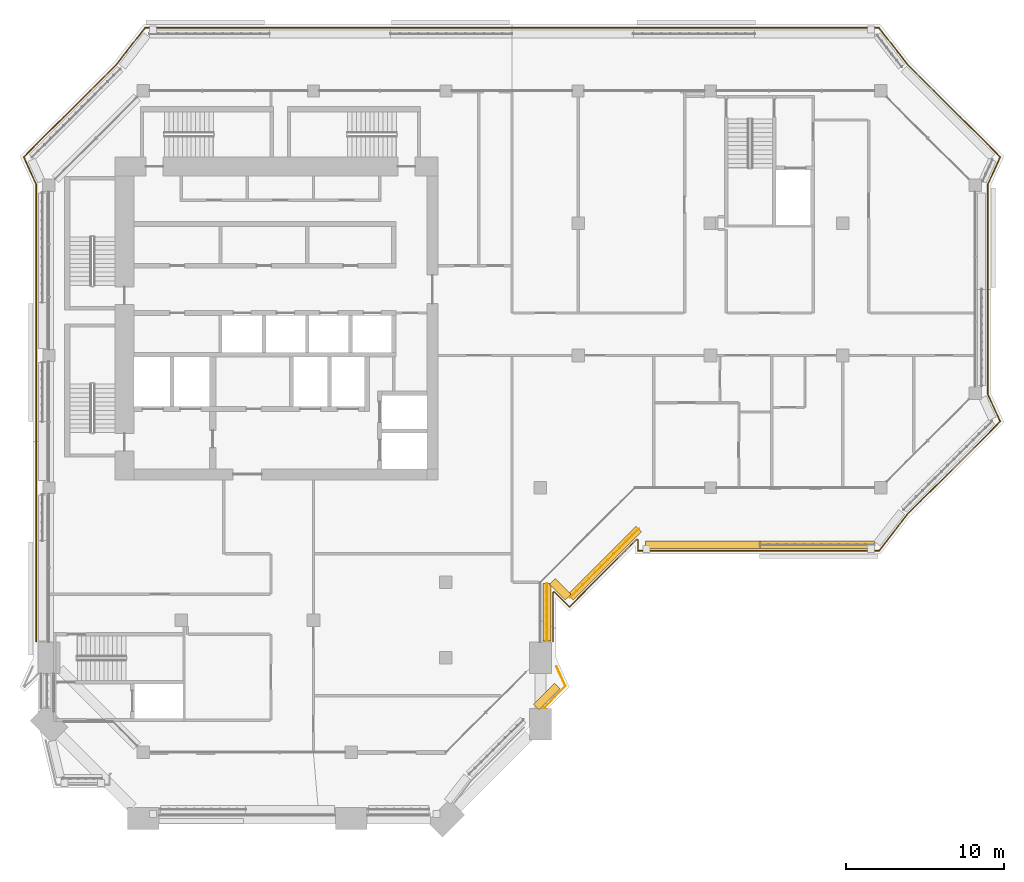
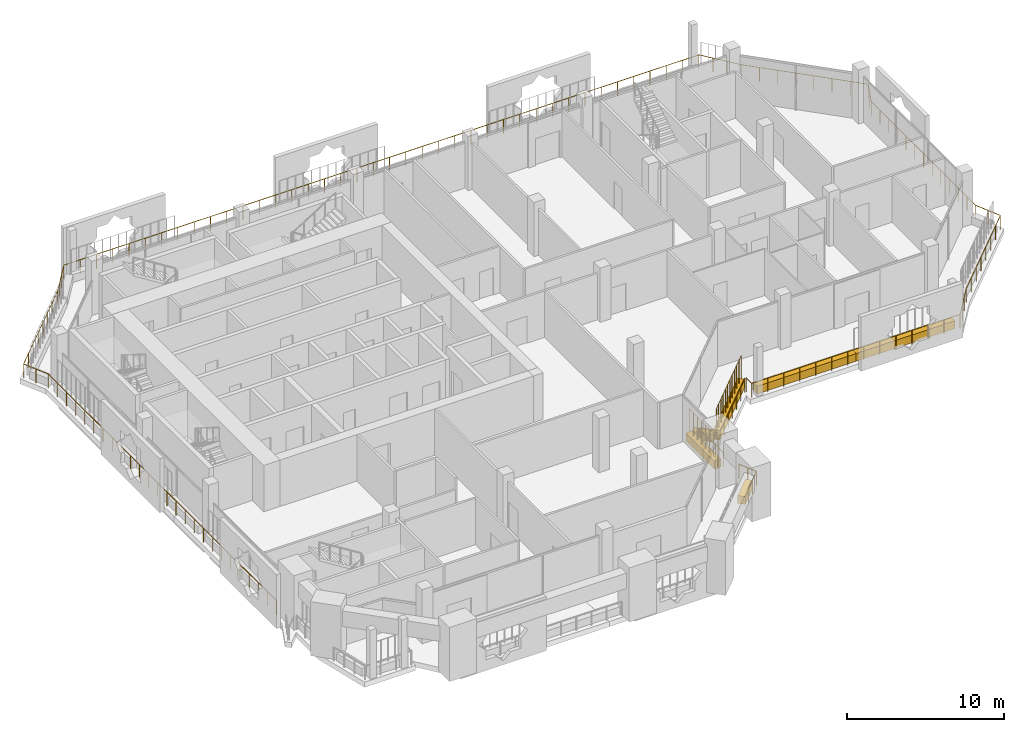
# One storey, part 18 of 22: 6 coverings, 4 railings.
"""IFC4 building model written with IfcOpenShell, lengths in metres."""

from ifc_helpers import new_model, si_unit, direction, frame, origin, origin_2d, place, context, subcontext, project, spatial, rectangle, circle, extrude, material, material_profile, profile_set, type_object, element, save


model = new_model("IFC4")

# Units and contexts
model_context = context("Model", 3, precision=1e-05, world=origin(), true_north=direction((0.0, 1.0)))
body_context = subcontext(model_context, "Body", "Model", "MODEL_VIEW")
ifc_project = project(units=[si_unit("LENGTHUNIT", "METRE"), si_unit("AREAUNIT", "SQUARE_METRE"), si_unit("VOLUMEUNIT", "CUBIC_METRE"), si_unit("PLANEANGLEUNIT", "RADIAN"), si_unit("MASSUNIT", "GRAM", prefix="KILO")], contexts=[model_context])

# Site, building, storey
site_placement = place(None, origin())
site = spatial("IfcSite", under=ifc_project, at=site_placement, CompositionType="ELEMENT")
building_placement = place(site_placement, origin())
building = spatial("IfcBuilding", under=site, at=building_placement, Name="Kawkab Arch Medical Tower", CompositionType="ELEMENT")
storey_placement = place(building_placement, frame((0.0, 0.0, 294.39990234375)))
storey = spatial("IfcBuildingStorey", under=building, at=storey_placement, Name="L68", CompositionType="ELEMENT", Elevation=294.39990234375)

# Railings
ifc_material_1 = material(Name="Bronze anodised aluminium guard", Category="aluminium")
railing_type_1 = type_object("IfcRailingType", Name="Loggia and terrace guard 1100", PredefinedType="GUARDRAIL", material=ifc_material_1)
railing_1_placement = place(storey_placement, frame((-0.800048828125, -34.969970703125, 0.0)))
element("IfcRailing", 1, at=railing_1_placement, inside=storey, type_object=railing_type_1, Name="Guard L68.LOG-01.1.4", PredefinedType="GUARDRAIL", context=body_context, shape_type="SweptSolid", body=[
    extrude(circle(Radius=0.02392578125, at=origin_2d()), frame((0.0, 0.0, 1.076171875), z_axis=(0.0, 1.0, 0.0), x_axis=(-1.0, 0.0, 0.0)), (0.0, 0.0, 1.0), 29.012939453125),
    extrude(circle(Radius=0.02392578125, at=origin_2d()), frame((0.0, 29.012939453125, 1.076171875), z_axis=(-0.414452581809, 0.910070907914, 0.0), x_axis=(-0.910070907914, -0.414452581809, 0.0)), (0.0, 0.0, 1.0), 1.925048828125),
    extrude(circle(Radius=0.02392578125, at=origin_2d()), frame((-0.7978515625, 30.764892578125, 1.076171875), z_axis=(0.707092175918, 0.707121386154, 0.0), x_axis=(-0.707121386154, 0.707092175918, 0.0)), (0.0, 0.0, 1.0), 8.358154296875),
    extrude(circle(Radius=0.02392578125, at=origin_2d()), frame((5.112060546875, 36.675048828125, 1.076171875), z_axis=(0.614144026922, 0.789193964876, 0.0), x_axis=(-0.789193964876, 0.614144026922, 0.0)), (0.0, 0.0, 1.0), 2.907958984375),
    extrude(circle(Radius=0.02392578125, at=origin_2d()), frame((6.89794921875, 38.969970703125, 1.076171875), z_axis=(1.0, 0.0, 0.0), x_axis=(0.0, 1.0, 0.0)), (0.0, 0.0, 1.0), 46.60400390625),
    extrude(circle(Radius=0.02392578125, at=origin_2d()), frame((53.501953125, 38.969970703125, 1.076171875), z_axis=(0.614196313452, -0.789153273162, 0.0), x_axis=(0.789153273162, 0.614196313452, 0.0)), (0.0, 0.0, 1.0), 2.908203125),
    extrude(circle(Radius=0.02392578125, at=origin_2d()), frame((55.2880859375, 36.675048828125, 1.076171875), z_axis=(0.707092175918, -0.707121386154, 0.0), x_axis=(0.707121386154, 0.707092175918, 0.0)), (0.0, 0.0, 1.0), 8.358154296875),
    extrude(circle(Radius=0.02392578125, at=origin_2d()), frame((61.197998046875, 30.764892578125, 1.076171875), z_axis=(-0.414452581809, -0.910070907914, 0.0), x_axis=(0.910070907914, -0.414452581809, 0.0)), (0.0, 0.0, 1.0), 1.925048828125),
    extrude(circle(Radius=0.02392578125, at=origin_2d()), frame((60.400146484375, 29.012939453125, 1.076171875), z_axis=(0.0, -1.0, 0.0), x_axis=(1.0, 0.0, 0.0)), (0.0, 0.0, 1.0), 13.285888671875),
    extrude(circle(Radius=0.02392578125, at=origin_2d()), frame((60.400146484375, 15.72705078125, 1.076171875), z_axis=(0.414404752076, -0.910092688388, 0.0), x_axis=(0.910092688388, 0.414404752076, 0.0)), (0.0, 0.0, 1.0), 1.92529296875),
    extrude(circle(Radius=0.02392578125, at=origin_2d()), frame((61.197998046875, 13.974853515625, 1.076171875), z_axis=(-0.707106781187, -0.707106781187, 0.0), x_axis=(0.707106781187, -0.707106781187, 0.0)), (0.0, 0.0, 1.0), 8.35791015625),
    extrude(circle(Radius=0.02392578125, at=origin_2d()), frame((55.2880859375, 8.06494140625, 1.076171875), z_axis=(-0.614196313452, -0.789153273162, 0.0), x_axis=(0.789153273162, -0.614196313452, 0.0)), (0.0, 0.0, 1.0), 2.908203125),
    extrude(circle(Radius=0.02392578125, at=origin_2d()), frame((53.501953125, 5.77001953125, 1.076171875), z_axis=(-1.0, 0.0, 0.0), x_axis=(0.0, -1.0, 0.0)), (0.0, 0.0, 1.0), 15.302001953125),
    extrude(circle(Radius=0.02392578125, at=origin_2d()), frame((38.199951171875, 5.77001953125, 1.076171875), z_axis=(0.0, 1.0, 0.0), x_axis=(-1.0, 0.0, 0.0)), (0.0, 0.0, 1.0), 0.6728515625),
    extrude(circle(Radius=0.02392578125, at=origin_2d()), frame((38.199951171875, 6.44287109375, 1.076171875), z_axis=(-0.923431341387, 0.383763674343, 0.0), x_axis=(-0.383763674343, -0.923431341387, 0.0)), (0.0, 0.0, 1.0), 0.101806640625),
    extrude(circle(Radius=0.02392578125, at=origin_2d()), frame((38.10595703125, 6.48193359375, 1.076171875), z_axis=(-0.707187685852, -0.707025867263, 0.0), x_axis=(0.707025867263, -0.707187685852, 0.0)), (0.0, 0.0, 1.0), 6.034912109375),
    extrude(circle(Radius=0.02392578125, at=origin_2d()), frame((33.838134765625, 2.215087890625, 1.076171875), z_axis=(-0.707198215437, 0.707015335112, 0.0), x_axis=(-0.707015335112, -0.707198215437, 0.0)), (0.0, 0.0, 1.0), 1.3349609375),
    extrude(circle(Radius=0.02392578125, at=origin_2d()), frame((32.89404296875, 3.158935546875, 1.076171875), z_axis=(-0.923431341387, -0.383763674343, 0.0), x_axis=(0.383763674343, -0.923431341387, 0.0)), (0.0, 0.0, 1.0), 0.101806640625),
    extrude(circle(Radius=0.02392578125, at=origin_2d()), frame((32.800048828125, 3.119873046875, 1.076171875), z_axis=(0.0, -1.0, 0.0), x_axis=(1.0, 0.0, 0.0)), (0.0, 0.0, 1.0), 3.119873046875),
    extrude(circle(Radius=0.02099609375, at=origin_2d()), origin(), (0.0, 0.0, 1.0), 1.052001953125),
    extrude(circle(Radius=0.02099609375, at=origin_2d()), frame((0.0, 1.160400390625, 0.0)), (0.0, 0.0, 1.0), 1.052001953125),
    extrude(circle(Radius=0.02099609375, at=origin_2d()), frame((0.0, 2.321044921875, 0.0)), (0.0, 0.0, 1.0), 1.052001953125),
    extrude(circle(Radius=0.02099609375, at=origin_2d()), frame((0.0, 3.4814453125, 0.0)), (0.0, 0.0, 1.0), 1.052001953125),
    extrude(circle(Radius=0.02099609375, at=origin_2d()), frame((0.0, 4.64208984375, 0.0)), (0.0, 0.0, 1.0), 1.052001953125),
    extrude(circle(Radius=0.02099609375, at=origin_2d()), frame((0.0, 5.802490234375, 0.0)), (0.0, 0.0, 1.0), 1.052001953125),
    extrude(circle(Radius=0.02099609375, at=origin_2d()), frame((0.0, 6.963134765625, 0.0)), (0.0, 0.0, 1.0), 1.052001953125),
    extrude(circle(Radius=0.02099609375, at=origin_2d()), frame((0.0, 8.12353515625, 0.0)), (0.0, 0.0, 1.0), 1.052001953125),
    extrude(circle(Radius=0.02099609375, at=origin_2d()), frame((0.0, 9.2841796875, 0.0)), (0.0, 0.0, 1.0), 1.052001953125),
    extrude(circle(Radius=0.02099609375, at=origin_2d()), frame((0.0, 10.444580078125, 0.0)), (0.0, 0.0, 1.0), 1.052001953125),
    extrude(circle(Radius=0.02099609375, at=origin_2d()), frame((0.0, 11.605224609375, 0.0)), (0.0, 0.0, 1.0), 1.052001953125),
    extrude(circle(Radius=0.02099609375, at=origin_2d()), frame((0.0, 12.765625, 0.0)), (0.0, 0.0, 1.0), 1.052001953125),
    extrude(circle(Radius=0.02099609375, at=origin_2d()), frame((0.0, 13.92626953125, 0.0)), (0.0, 0.0, 1.0), 1.052001953125),
    extrude(circle(Radius=0.02099609375, at=origin_2d()), frame((0.0, 15.086669921875, 0.0)), (0.0, 0.0, 1.0), 1.052001953125),
    extrude(circle(Radius=0.02099609375, at=origin_2d()), frame((0.0, 16.247314453125, 0.0)), (0.0, 0.0, 1.0), 1.052001953125),
    extrude(circle(Radius=0.02099609375, at=origin_2d()), frame((0.0, 17.40771484375, 0.0)), (0.0, 0.0, 1.0), 1.052001953125),
    extrude(circle(Radius=0.02099609375, at=origin_2d()), frame((0.0, 18.568359375, 0.0)), (0.0, 0.0, 1.0), 1.052001953125),
    extrude(circle(Radius=0.02099609375, at=origin_2d()), frame((0.0, 19.728759765625, 0.0)), (0.0, 0.0, 1.0), 1.052001953125),
    extrude(circle(Radius=0.02099609375, at=origin_2d()), frame((0.0, 20.889404296875, 0.0)), (0.0, 0.0, 1.0), 1.052001953125),
    extrude(circle(Radius=0.02099609375, at=origin_2d()), frame((0.0, 22.0498046875, 0.0)), (0.0, 0.0, 1.0), 1.052001953125),
    extrude(circle(Radius=0.02099609375, at=origin_2d()), frame((0.0, 23.21044921875, 0.0)), (0.0, 0.0, 1.0), 1.052001953125),
    extrude(circle(Radius=0.02099609375, at=origin_2d()), frame((0.0, 24.370849609375, 0.0)), (0.0, 0.0, 1.0), 1.052001953125),
    extrude(circle(Radius=0.02099609375, at=origin_2d()), frame((0.0, 25.531494140625, 0.0)), (0.0, 0.0, 1.0), 1.052001953125),
    extrude(circle(Radius=0.02099609375, at=origin_2d()), frame((0.0, 26.69189453125, 0.0)), (0.0, 0.0, 1.0), 1.052001953125),
    extrude(circle(Radius=0.02099609375, at=origin_2d()), frame((0.0, 27.8525390625, 0.0)), (0.0, 0.0, 1.0), 1.052001953125),
    extrude(circle(Radius=0.02099609375, at=origin_2d()), frame((0.0, 29.012939453125, 0.0)), (0.0, 0.0, 1.0), 1.052001953125),
    extrude(circle(Radius=0.02099609375, at=origin_2d()), frame((-0.39892578125, 29.888916015625, 0.0)), (0.0, 0.0, 1.0), 1.052001953125),
    extrude(circle(Radius=0.02099609375, at=origin_2d()), frame((-0.7978515625, 30.764892578125, 0.0)), (0.0, 0.0, 1.0), 1.052001953125),
    extrude(circle(Radius=0.02099609375, at=origin_2d()), frame((0.04638671875, 31.609130859375, 0.0)), (0.0, 0.0, 1.0), 1.052001953125),
    extrude(circle(Radius=0.02099609375, at=origin_2d()), frame((0.890625, 32.45361328125, 0.0)), (0.0, 0.0, 1.0), 1.052001953125),
    extrude(circle(Radius=0.02099609375, at=origin_2d()), frame((1.73486328125, 33.2978515625, 0.0)), (0.0, 0.0, 1.0), 1.052001953125),
    extrude(circle(Radius=0.02099609375, at=origin_2d()), frame((2.579345703125, 34.14208984375, 0.0)), (0.0, 0.0, 1.0), 1.052001953125),
    extrude(circle(Radius=0.02099609375, at=origin_2d()), frame((3.423583984375, 34.986328125, 0.0)), (0.0, 0.0, 1.0), 1.052001953125),
    extrude(circle(Radius=0.02099609375, at=origin_2d()), frame((4.267822265625, 35.830810546875, 0.0)), (0.0, 0.0, 1.0), 1.052001953125),
    extrude(circle(Radius=0.02099609375, at=origin_2d()), frame((5.112060546875, 36.675048828125, 0.0)), (0.0, 0.0, 1.0), 1.052001953125),
    extrude(circle(Radius=0.02099609375, at=origin_2d()), frame((5.707275390625, 37.43994140625, 0.0)), (0.0, 0.0, 1.0), 1.052001953125),
    extrude(circle(Radius=0.02099609375, at=origin_2d()), frame((6.302734375, 38.205078125, 0.0)), (0.0, 0.0, 1.0), 1.052001953125),
    extrude(circle(Radius=0.02099609375, at=origin_2d()), frame((6.89794921875, 38.969970703125, 0.0)), (0.0, 0.0, 1.0), 1.052001953125),
    extrude(circle(Radius=0.02099609375, at=origin_2d()), frame((8.093017578125, 38.969970703125, 0.0)), (0.0, 0.0, 1.0), 1.052001953125),
    extrude(circle(Radius=0.02099609375, at=origin_2d()), frame((9.287841796875, 38.969970703125, 0.0)), (0.0, 0.0, 1.0), 1.052001953125),
    extrude(circle(Radius=0.02099609375, at=origin_2d()), frame((10.48291015625, 38.969970703125, 0.0)), (0.0, 0.0, 1.0), 1.052001953125),
    extrude(circle(Radius=0.02099609375, at=origin_2d()), frame((11.677734375, 38.969970703125, 0.0)), (0.0, 0.0, 1.0), 1.052001953125),
    extrude(circle(Radius=0.02099609375, at=origin_2d()), frame((12.872802734375, 38.969970703125, 0.0)), (0.0, 0.0, 1.0), 1.052001953125),
    extrude(circle(Radius=0.02099609375, at=origin_2d()), frame((14.06787109375, 38.969970703125, 0.0)), (0.0, 0.0, 1.0), 1.052001953125),
    extrude(circle(Radius=0.02099609375, at=origin_2d()), frame((15.2626953125, 38.969970703125, 0.0)), (0.0, 0.0, 1.0), 1.052001953125),
    extrude(circle(Radius=0.02099609375, at=origin_2d()), frame((16.457763671875, 38.969970703125, 0.0)), (0.0, 0.0, 1.0), 1.052001953125),
    extrude(circle(Radius=0.02099609375, at=origin_2d()), frame((17.65283203125, 38.969970703125, 0.0)), (0.0, 0.0, 1.0), 1.052001953125),
    extrude(circle(Radius=0.02099609375, at=origin_2d()), frame((18.84765625, 38.969970703125, 0.0)), (0.0, 0.0, 1.0), 1.052001953125),
    extrude(circle(Radius=0.02099609375, at=origin_2d()), frame((20.042724609375, 38.969970703125, 0.0)), (0.0, 0.0, 1.0), 1.052001953125),
    extrude(circle(Radius=0.02099609375, at=origin_2d()), frame((21.237548828125, 38.969970703125, 0.0)), (0.0, 0.0, 1.0), 1.052001953125),
    extrude(circle(Radius=0.02099609375, at=origin_2d()), frame((22.4326171875, 38.969970703125, 0.0)), (0.0, 0.0, 1.0), 1.052001953125),
    extrude(circle(Radius=0.02099609375, at=origin_2d()), frame((23.627685546875, 38.969970703125, 0.0)), (0.0, 0.0, 1.0), 1.052001953125),
    extrude(circle(Radius=0.02099609375, at=origin_2d()), frame((24.822509765625, 38.969970703125, 0.0)), (0.0, 0.0, 1.0), 1.052001953125),
    extrude(circle(Radius=0.02099609375, at=origin_2d()), frame((26.017578125, 38.969970703125, 0.0)), (0.0, 0.0, 1.0), 1.052001953125),
    extrude(circle(Radius=0.02099609375, at=origin_2d()), frame((27.21240234375, 38.969970703125, 0.0)), (0.0, 0.0, 1.0), 1.052001953125),
    extrude(circle(Radius=0.02099609375, at=origin_2d()), frame((28.407470703125, 38.969970703125, 0.0)), (0.0, 0.0, 1.0), 1.052001953125),
    extrude(circle(Radius=0.02099609375, at=origin_2d()), frame((29.6025390625, 38.969970703125, 0.0)), (0.0, 0.0, 1.0), 1.052001953125),
    extrude(circle(Radius=0.02099609375, at=origin_2d()), frame((30.79736328125, 38.969970703125, 0.0)), (0.0, 0.0, 1.0), 1.052001953125),
    extrude(circle(Radius=0.02099609375, at=origin_2d()), frame((31.992431640625, 38.969970703125, 0.0)), (0.0, 0.0, 1.0), 1.052001953125),
    extrude(circle(Radius=0.02099609375, at=origin_2d()), frame((33.1875, 38.969970703125, 0.0)), (0.0, 0.0, 1.0), 1.052001953125),
    extrude(circle(Radius=0.02099609375, at=origin_2d()), frame((34.38232421875, 38.969970703125, 0.0)), (0.0, 0.0, 1.0), 1.052001953125),
    extrude(circle(Radius=0.02099609375, at=origin_2d()), frame((35.577392578125, 38.969970703125, 0.0)), (0.0, 0.0, 1.0), 1.052001953125),
    extrude(circle(Radius=0.02099609375, at=origin_2d()), frame((36.772216796875, 38.969970703125, 0.0)), (0.0, 0.0, 1.0), 1.052001953125),
    extrude(circle(Radius=0.02099609375, at=origin_2d()), frame((37.96728515625, 38.969970703125, 0.0)), (0.0, 0.0, 1.0), 1.052001953125),
    extrude(circle(Radius=0.02099609375, at=origin_2d()), frame((39.162353515625, 38.969970703125, 0.0)), (0.0, 0.0, 1.0), 1.052001953125),
    extrude(circle(Radius=0.02099609375, at=origin_2d()), frame((40.357177734375, 38.969970703125, 0.0)), (0.0, 0.0, 1.0), 1.052001953125),
    extrude(circle(Radius=0.02099609375, at=origin_2d()), frame((41.55224609375, 38.969970703125, 0.0)), (0.0, 0.0, 1.0), 1.052001953125),
    extrude(circle(Radius=0.02099609375, at=origin_2d()), frame((42.7470703125, 38.969970703125, 0.0)), (0.0, 0.0, 1.0), 1.052001953125),
    extrude(circle(Radius=0.02099609375, at=origin_2d()), frame((43.942138671875, 38.969970703125, 0.0)), (0.0, 0.0, 1.0), 1.052001953125),
    extrude(circle(Radius=0.02099609375, at=origin_2d()), frame((45.13720703125, 38.969970703125, 0.0)), (0.0, 0.0, 1.0), 1.052001953125),
    extrude(circle(Radius=0.02099609375, at=origin_2d()), frame((46.33203125, 38.969970703125, 0.0)), (0.0, 0.0, 1.0), 1.052001953125),
    extrude(circle(Radius=0.02099609375, at=origin_2d()), frame((47.527099609375, 38.969970703125, 0.0)), (0.0, 0.0, 1.0), 1.052001953125),
    extrude(circle(Radius=0.02099609375, at=origin_2d()), frame((48.72216796875, 38.969970703125, 0.0)), (0.0, 0.0, 1.0), 1.052001953125),
    extrude(circle(Radius=0.02099609375, at=origin_2d()), frame((49.9169921875, 38.969970703125, 0.0)), (0.0, 0.0, 1.0), 1.052001953125),
    extrude(circle(Radius=0.02099609375, at=origin_2d()), frame((51.112060546875, 38.969970703125, 0.0)), (0.0, 0.0, 1.0), 1.052001953125),
    extrude(circle(Radius=0.02099609375, at=origin_2d()), frame((52.306884765625, 38.969970703125, 0.0)), (0.0, 0.0, 1.0), 1.052001953125),
    extrude(circle(Radius=0.02099609375, at=origin_2d()), frame((53.501953125, 38.969970703125, 0.0)), (0.0, 0.0, 1.0), 1.052001953125),
    extrude(circle(Radius=0.02099609375, at=origin_2d()), frame((54.097412109375, 38.205078125, 0.0)), (0.0, 0.0, 1.0), 1.052001953125),
    extrude(circle(Radius=0.02099609375, at=origin_2d()), frame((54.692626953125, 37.43994140625, 0.0)), (0.0, 0.0, 1.0), 1.052001953125),
    extrude(circle(Radius=0.02099609375, at=origin_2d()), frame((55.2880859375, 36.675048828125, 0.0)), (0.0, 0.0, 1.0), 1.052001953125),
    extrude(circle(Radius=0.02099609375, at=origin_2d()), frame((56.13232421875, 35.830810546875, 0.0)), (0.0, 0.0, 1.0), 1.052001953125),
    extrude(circle(Radius=0.02099609375, at=origin_2d()), frame((56.9765625, 34.986328125, 0.0)), (0.0, 0.0, 1.0), 1.052001953125),
    extrude(circle(Radius=0.02099609375, at=origin_2d()), frame((57.82080078125, 34.14208984375, 0.0)), (0.0, 0.0, 1.0), 1.052001953125),
    extrude(circle(Radius=0.02099609375, at=origin_2d()), frame((58.665283203125, 33.2978515625, 0.0)), (0.0, 0.0, 1.0), 1.052001953125),
    extrude(circle(Radius=0.02099609375, at=origin_2d()), frame((59.509521484375, 32.45361328125, 0.0)), (0.0, 0.0, 1.0), 1.052001953125),
    extrude(circle(Radius=0.02099609375, at=origin_2d()), frame((60.353759765625, 31.609130859375, 0.0)), (0.0, 0.0, 1.0), 1.052001953125),
    extrude(circle(Radius=0.02099609375, at=origin_2d()), frame((61.197998046875, 30.764892578125, 0.0)), (0.0, 0.0, 1.0), 1.052001953125),
    extrude(circle(Radius=0.02099609375, at=origin_2d()), frame((60.799072265625, 29.888916015625, 0.0)), (0.0, 0.0, 1.0), 1.052001953125),
    extrude(circle(Radius=0.02099609375, at=origin_2d()), frame((60.400146484375, 29.012939453125, 0.0)), (0.0, 0.0, 1.0), 1.052001953125),
    extrude(circle(Radius=0.02099609375, at=origin_2d()), frame((60.400146484375, 27.90576171875, 0.0)), (0.0, 0.0, 1.0), 1.052001953125),
    extrude(circle(Radius=0.02099609375, at=origin_2d()), frame((60.400146484375, 26.798583984375, 0.0)), (0.0, 0.0, 1.0), 1.052001953125),
    extrude(circle(Radius=0.02099609375, at=origin_2d()), frame((60.400146484375, 25.69140625, 0.0)), (0.0, 0.0, 1.0), 1.052001953125),
    extrude(circle(Radius=0.02099609375, at=origin_2d()), frame((60.400146484375, 24.584228515625, 0.0)), (0.0, 0.0, 1.0), 1.052001953125),
    extrude(circle(Radius=0.02099609375, at=origin_2d()), frame((60.400146484375, 23.47705078125, 0.0)), (0.0, 0.0, 1.0), 1.052001953125),
    extrude(circle(Radius=0.02099609375, at=origin_2d()), frame((60.400146484375, 22.3701171875, 0.0)), (0.0, 0.0, 1.0), 1.052001953125),
    extrude(circle(Radius=0.02099609375, at=origin_2d()), frame((60.400146484375, 21.262939453125, 0.0)), (0.0, 0.0, 1.0), 1.052001953125),
    extrude(circle(Radius=0.02099609375, at=origin_2d()), frame((60.400146484375, 20.15576171875, 0.0)), (0.0, 0.0, 1.0), 1.052001953125),
    extrude(circle(Radius=0.02099609375, at=origin_2d()), frame((60.400146484375, 19.048583984375, 0.0)), (0.0, 0.0, 1.0), 1.052001953125),
    extrude(circle(Radius=0.02099609375, at=origin_2d()), frame((60.400146484375, 17.94140625, 0.0)), (0.0, 0.0, 1.0), 1.052001953125),
    extrude(circle(Radius=0.02099609375, at=origin_2d()), frame((60.400146484375, 16.834228515625, 0.0)), (0.0, 0.0, 1.0), 1.052001953125),
    extrude(circle(Radius=0.02099609375, at=origin_2d()), frame((60.400146484375, 15.72705078125, 0.0)), (0.0, 0.0, 1.0), 1.052001953125),
    extrude(circle(Radius=0.02099609375, at=origin_2d()), frame((60.799072265625, 14.85107421875, 0.0)), (0.0, 0.0, 1.0), 1.052001953125),
    extrude(circle(Radius=0.02099609375, at=origin_2d()), frame((61.197998046875, 13.974853515625, 0.0)), (0.0, 0.0, 1.0), 1.052001953125),
    extrude(circle(Radius=0.02099609375, at=origin_2d()), frame((60.353759765625, 13.130615234375, 0.0)), (0.0, 0.0, 1.0), 1.052001953125),
    extrude(circle(Radius=0.02099609375, at=origin_2d()), frame((59.509521484375, 12.286376953125, 0.0)), (0.0, 0.0, 1.0), 1.052001953125),
    extrude(circle(Radius=0.02099609375, at=origin_2d()), frame((58.665283203125, 11.442138671875, 0.0)), (0.0, 0.0, 1.0), 1.052001953125),
    extrude(circle(Radius=0.02099609375, at=origin_2d()), frame((57.82080078125, 10.59765625, 0.0)), (0.0, 0.0, 1.0), 1.052001953125),
    extrude(circle(Radius=0.02099609375, at=origin_2d()), frame((56.9765625, 9.75341796875, 0.0)), (0.0, 0.0, 1.0), 1.052001953125),
    extrude(circle(Radius=0.02099609375, at=origin_2d()), frame((56.13232421875, 8.9091796875, 0.0)), (0.0, 0.0, 1.0), 1.052001953125),
    extrude(circle(Radius=0.02099609375, at=origin_2d()), frame((55.2880859375, 8.06494140625, 0.0)), (0.0, 0.0, 1.0), 1.052001953125),
    extrude(circle(Radius=0.02099609375, at=origin_2d()), frame((54.692626953125, 7.300048828125, 0.0)), (0.0, 0.0, 1.0), 1.052001953125),
    extrude(circle(Radius=0.02099609375, at=origin_2d()), frame((54.097412109375, 6.534912109375, 0.0)), (0.0, 0.0, 1.0), 1.052001953125),
    extrude(circle(Radius=0.02099609375, at=origin_2d()), frame((53.501953125, 5.77001953125, 0.0)), (0.0, 0.0, 1.0), 1.052001953125),
    extrude(circle(Radius=0.02099609375, at=origin_2d()), frame((52.324951171875, 5.77001953125, 0.0)), (0.0, 0.0, 1.0), 1.052001953125),
    extrude(circle(Radius=0.02099609375, at=origin_2d()), frame((51.147705078125, 5.77001953125, 0.0)), (0.0, 0.0, 1.0), 1.052001953125),
    extrude(circle(Radius=0.02099609375, at=origin_2d()), frame((49.970703125, 5.77001953125, 0.0)), (0.0, 0.0, 1.0), 1.052001953125),
    extrude(circle(Radius=0.02099609375, at=origin_2d()), frame((48.793701171875, 5.77001953125, 0.0)), (0.0, 0.0, 1.0), 1.052001953125),
    extrude(circle(Radius=0.02099609375, at=origin_2d()), frame((47.616455078125, 5.77001953125, 0.0)), (0.0, 0.0, 1.0), 1.052001953125),
    extrude(circle(Radius=0.02099609375, at=origin_2d()), frame((46.439453125, 5.77001953125, 0.0)), (0.0, 0.0, 1.0), 1.052001953125),
    extrude(circle(Radius=0.02099609375, at=origin_2d()), frame((45.262451171875, 5.77001953125, 0.0)), (0.0, 0.0, 1.0), 1.052001953125),
    extrude(circle(Radius=0.02099609375, at=origin_2d()), frame((44.08544921875, 5.77001953125, 0.0)), (0.0, 0.0, 1.0), 1.052001953125),
    extrude(circle(Radius=0.02099609375, at=origin_2d()), frame((42.908203125, 5.77001953125, 0.0)), (0.0, 0.0, 1.0), 1.052001953125),
    extrude(circle(Radius=0.02099609375, at=origin_2d()), frame((41.731201171875, 5.77001953125, 0.0)), (0.0, 0.0, 1.0), 1.052001953125),
    extrude(circle(Radius=0.02099609375, at=origin_2d()), frame((40.55419921875, 5.77001953125, 0.0)), (0.0, 0.0, 1.0), 1.052001953125),
    extrude(circle(Radius=0.02099609375, at=origin_2d()), frame((39.376953125, 5.77001953125, 0.0)), (0.0, 0.0, 1.0), 1.052001953125),
    extrude(circle(Radius=0.02099609375, at=origin_2d()), frame((38.199951171875, 5.77001953125, 0.0)), (0.0, 0.0, 1.0), 1.052001953125),
    extrude(circle(Radius=0.02099609375, at=origin_2d()), frame((38.199951171875, 6.44287109375, 0.0)), (0.0, 0.0, 1.0), 1.052001953125),
    extrude(circle(Radius=0.02099609375, at=origin_2d()), frame((38.10595703125, 6.48193359375, 0.0)), (0.0, 0.0, 1.0), 1.052001953125),
    extrude(circle(Radius=0.02099609375, at=origin_2d()), frame((37.39453125, 5.770751953125, 0.0)), (0.0, 0.0, 1.0), 1.052001953125),
    extrude(circle(Radius=0.02099609375, at=origin_2d()), frame((36.683349609375, 5.0595703125, 0.0)), (0.0, 0.0, 1.0), 1.052001953125),
    extrude(circle(Radius=0.02099609375, at=origin_2d()), frame((35.97216796875, 4.3486328125, 0.0)), (0.0, 0.0, 1.0), 1.052001953125),
    extrude(circle(Radius=0.02099609375, at=origin_2d()), frame((35.2607421875, 3.637451171875, 0.0)), (0.0, 0.0, 1.0), 1.052001953125),
    extrude(circle(Radius=0.02099609375, at=origin_2d()), frame((34.54931640625, 2.92626953125, 0.0)), (0.0, 0.0, 1.0), 1.052001953125),
    extrude(circle(Radius=0.02099609375, at=origin_2d()), frame((33.838134765625, 2.215087890625, 0.0)), (0.0, 0.0, 1.0), 1.052001953125),
    extrude(circle(Radius=0.02099609375, at=origin_2d()), frame((33.3662109375, 2.68701171875, 0.0)), (0.0, 0.0, 1.0), 1.052001953125),
    extrude(circle(Radius=0.02099609375, at=origin_2d()), frame((32.89404296875, 3.158935546875, 0.0)), (0.0, 0.0, 1.0), 1.052001953125),
    extrude(circle(Radius=0.02099609375, at=origin_2d()), frame((32.800048828125, 3.119873046875, 0.0)), (0.0, 0.0, 1.0), 1.052001953125),
    extrude(circle(Radius=0.02099609375, at=origin_2d()), frame((32.800048828125, 2.079833984375, 0.0)), (0.0, 0.0, 1.0), 1.052001953125),
    extrude(circle(Radius=0.02099609375, at=origin_2d()), frame((32.800048828125, 1.0400390625, 0.0)), (0.0, 0.0, 1.0), 1.052001953125),
    extrude(circle(Radius=0.02099609375, at=origin_2d()), frame((32.800048828125, 0.0, 0.0)), (0.0, 0.0, 1.0), 1.052001953125),
])
railing_2_placement = place(storey_placement, frame((32.22998046875, -36.548095703125, 0.0)))
element("IfcRailing", 2, at=railing_2_placement, inside=storey, type_object=railing_type_1, Name="Guard L68.LOG-01.1.5", PredefinedType="GUARDRAIL", context=body_context, shape_type="SweptSolid", body=[
    extrude(circle(Radius=0.02392578125, at=origin_2d()), frame((0.0, 0.0, 1.076171875), z_axis=(0.4146351122, -0.909987760209, 0.0), x_axis=(0.909987760209, 0.4146351122, 0.0)), (0.0, 0.0, 1.0), 1.3701171875),
    extrude(circle(Radius=0.02392578125, at=origin_2d()), frame((0.568115234375, -1.246826171875, 1.076171875), z_axis=(-0.707106781187, -0.707106781187, 0.0), x_axis=(0.707106781187, -0.707106781187, 0.0)), (0.0, 0.0, 1.0), 1.944580078125),
    extrude(circle(Radius=0.02099609375, at=origin_2d()), origin(), (0.0, 0.0, 1.0), 1.052001953125),
    extrude(circle(Radius=0.02099609375, at=origin_2d()), frame((0.2841796875, -0.62353515625, 0.0)), (0.0, 0.0, 1.0), 1.052001953125),
    extrude(circle(Radius=0.02099609375, at=origin_2d()), frame((0.568115234375, -1.246826171875, 0.0)), (0.0, 0.0, 1.0), 1.052001953125),
    extrude(circle(Radius=0.02099609375, at=origin_2d()), frame((-0.119384765625, -1.934326171875, 0.0)), (0.0, 0.0, 1.0), 1.052001953125),
    extrude(circle(Radius=0.02099609375, at=origin_2d()), frame((-0.806884765625, -2.621826171875, 0.0)), (0.0, 0.0, 1.0), 1.052001953125),
])

# Coverings
ifc_material_2 = material(Name="Planting soil in a precast trough", Category="concrete")
ifc_material_profile = material_profile(ifc_material_2, rectangle(XDim=0.5, YDim=0.60009765625, at=origin_2d()), Name="Trough 500x600")
ifc_profile_set = profile_set([ifc_material_profile], Name="Planting soil in a precast trough")
covering_type = type_object("IfcCoveringType", Name="Planter trough 500 x 600", PredefinedType="USERDEFINED", material=ifc_profile_set)
for number, where, z_axis, x_axis, name in (
    (3, (52.416015625, -28.820068359375, 0.300048828125), (-1.0, 0.0, 0.0), (0.0, -1.0, 0.0), "Planter L68.LOG-01-01.27"),
    (4, (45.14794921875, -28.820068359375, 0.300048828125), (-1.0, 0.0, 0.0), (0.0, -1.0, 0.0), "Planter L68.LOG-01-01.28"),
):
    element("IfcCovering", number, at=place(storey_placement, frame(where, z_axis=z_axis, x_axis=x_axis)), inside=storey, type_object=covering_type, Name=name, ObjectType="PLANTER", PredefinedType="USERDEFINED", context=body_context, shape_type="SweptSolid", body=[
        extrude(rectangle(XDim=0.5, YDim=0.60009765625, at=origin_2d()), origin(), (0.0, 0.0, 1.0), 7.26806640625),
    ])
covering_1_placement = place(storey_placement, frame((37.43701171875, -27.820068359375, 0.300048828125), z_axis=(-0.707206504313, -0.707007043994, 0.0), x_axis=(0.707007043994, -0.707206504313, 0.0)))
element("IfcCovering", 5, at=covering_1_placement, inside=storey, type_object=covering_type, Name="Planter L68.LOG-01-01.29", ObjectType="PLANTER", PredefinedType="USERDEFINED", context=body_context, shape_type="SweptSolid", body=[
    extrude(rectangle(XDim=0.5, YDim=0.60009765625, at=origin_2d()), origin(), (0.0, 0.0, 1.0), 6.1201171875),
])
covering_2_placement = place(storey_placement, frame((32.967041015625, -32.14697265625, 0.300048828125), z_axis=(-0.707192746389, 0.707020805532, 0.0), x_axis=(-0.707020805532, -0.707192746389, 0.0)))
element("IfcCovering", 6, at=covering_2_placement, inside=storey, type_object=covering_type, Name="Planter L68.LOG-01-01.30", ObjectType="PLANTER", PredefinedType="USERDEFINED", context=body_context, shape_type="SweptSolid", body=[
    extrude(rectangle(XDim=0.5, YDim=0.60009765625, at=origin_2d()), origin(), (0.0, 0.0, 1.0), 1.419921875),
])
covering_3_placement = place(storey_placement, frame((31.6201171875, -31.284912109375, 0.300048828125), z_axis=(0.0, -1.0, 0.0), x_axis=(1.0, 0.0, 0.0)))
element("IfcCovering", 7, at=covering_3_placement, inside=storey, type_object=covering_type, Name="Planter L68.LOG-01-01.31", ObjectType="PLANTER", PredefinedType="USERDEFINED", context=body_context, shape_type="SweptSolid", body=[
    extrude(rectangle(XDim=0.5, YDim=0.60009765625, at=origin_2d()), origin(), (0.0, 0.0, 1.0), 3.635009765625),
])
covering_4_placement = place(storey_placement, frame((32.27294921875, -37.782958984375, 0.300048828125), z_axis=(-0.707042219965, -0.707171336514, 0.0), x_axis=(0.707171336514, -0.707042219965, 0.0)))
element("IfcCovering", 8, at=covering_4_placement, inside=storey, type_object=covering_type, Name="Planter L68.LOG-01-01.32", ObjectType="PLANTER", PredefinedType="USERDEFINED", context=body_context, shape_type="SweptSolid", body=[
    extrude(rectangle(XDim=0.5, YDim=0.60009765625, at=origin_2d()), origin(), (0.0, 0.0, 1.0), 1.890869140625),
])

# Railings
ifc_material_3 = material(Name="Bronze anodised aluminium trellis for climbing plants", Category="aluminium")
railing_type_2 = type_object("IfcRailingType", Name="Planting trellis 2400", PredefinedType="USERDEFINED", material=ifc_material_3)
railing_3_placement = place(storey_placement, frame((37.43701171875, -27.820068359375, 0.0)))
element("IfcRailing", 9, at=railing_3_placement, inside=storey, type_object=railing_type_2, Name="Planting trellis L68.LOG-01-01.29", ObjectType="TRELLIS", PredefinedType="USERDEFINED", context=body_context, shape_type="SweptSolid", body=[
    extrude(circle(Radius=0.01513671875, at=origin_2d()), frame((0.0, 0.0, 2.384765625), z_axis=(-0.707206504313, -0.707007043994, 0.0), x_axis=(0.707007043994, -0.707206504313, 0.0)), (0.0, 0.0, 1.0), 6.1201171875),
    extrude(circle(Radius=0.030029296875, at=origin_2d()), origin(), (0.0, 0.0, 1.0), 2.369873046875),
    extrude(circle(Radius=0.030029296875, at=origin_2d()), frame((-0.3935546875, -0.393310546875, 0.0)), (0.0, 0.0, 1.0), 2.369873046875),
    extrude(circle(Radius=0.030029296875, at=origin_2d()), frame((-0.786865234375, -0.78662109375, 0.0)), (0.0, 0.0, 1.0), 2.369873046875),
    extrude(circle(Radius=0.030029296875, at=origin_2d()), frame((-1.180419921875, -1.18017578125, 0.0)), (0.0, 0.0, 1.0), 2.369873046875),
    extrude(circle(Radius=0.030029296875, at=origin_2d()), frame((-1.573974609375, -1.573486328125, 0.0)), (0.0, 0.0, 1.0), 2.369873046875),
    extrude(circle(Radius=0.030029296875, at=origin_2d()), frame((-1.96728515625, -1.966796875, 0.0)), (0.0, 0.0, 1.0), 2.369873046875),
    extrude(circle(Radius=0.030029296875, at=origin_2d()), frame((-2.36083984375, -2.360107421875, 0.0)), (0.0, 0.0, 1.0), 2.369873046875),
    extrude(circle(Radius=0.030029296875, at=origin_2d()), frame((-2.754150390625, -2.75341796875, 0.0)), (0.0, 0.0, 1.0), 2.369873046875),
    extrude(circle(Radius=0.030029296875, at=origin_2d()), frame((-3.147705078125, -3.146728515625, 0.0)), (0.0, 0.0, 1.0), 2.369873046875),
    extrude(circle(Radius=0.030029296875, at=origin_2d()), frame((-3.541259765625, -3.540283203125, 0.0)), (0.0, 0.0, 1.0), 2.369873046875),
    extrude(circle(Radius=0.030029296875, at=origin_2d()), frame((-3.9345703125, -3.93359375, 0.0)), (0.0, 0.0, 1.0), 2.369873046875),
    extrude(circle(Radius=0.030029296875, at=origin_2d()), frame((-4.328125, -4.326904296875, 0.0)), (0.0, 0.0, 1.0), 2.369873046875),
])
railing_4_placement = place(storey_placement, frame((31.6201171875, -31.284912109375, 0.0)))
element("IfcRailing", 10, at=railing_4_placement, inside=storey, type_object=railing_type_2, Name="Planting trellis L68.LOG-01-01.31", ObjectType="TRELLIS", PredefinedType="USERDEFINED", context=body_context, shape_type="SweptSolid", body=[
    extrude(circle(Radius=0.01513671875, at=origin_2d()), frame((0.0, 0.0, 2.384765625), z_axis=(0.0, -1.0, 0.0), x_axis=(1.0, 0.0, 0.0)), (0.0, 0.0, 1.0), 3.635009765625),
    extrude(circle(Radius=0.030029296875, at=origin_2d()), origin(), (0.0, 0.0, 1.0), 2.369873046875),
    extrude(circle(Radius=0.030029296875, at=origin_2d()), frame((0.0, -0.519287109375, 0.0)), (0.0, 0.0, 1.0), 2.369873046875),
    extrude(circle(Radius=0.030029296875, at=origin_2d()), frame((0.0, -1.03857421875, 0.0)), (0.0, 0.0, 1.0), 2.369873046875),
    extrude(circle(Radius=0.030029296875, at=origin_2d()), frame((0.0, -1.557861328125, 0.0)), (0.0, 0.0, 1.0), 2.369873046875),
    extrude(circle(Radius=0.030029296875, at=origin_2d()), frame((0.0, -2.0771484375, 0.0)), (0.0, 0.0, 1.0), 2.369873046875),
    extrude(circle(Radius=0.030029296875, at=origin_2d()), frame((0.0, -2.596435546875, 0.0)), (0.0, 0.0, 1.0), 2.369873046875),
    extrude(circle(Radius=0.030029296875, at=origin_2d()), frame((0.0, -3.11572265625, 0.0)), (0.0, 0.0, 1.0), 2.369873046875),
    extrude(circle(Radius=0.030029296875, at=origin_2d()), frame((0.0, -3.635009765625, 0.0)), (0.0, 0.0, 1.0), 2.369873046875),
])

save(model, "model.ifc")
